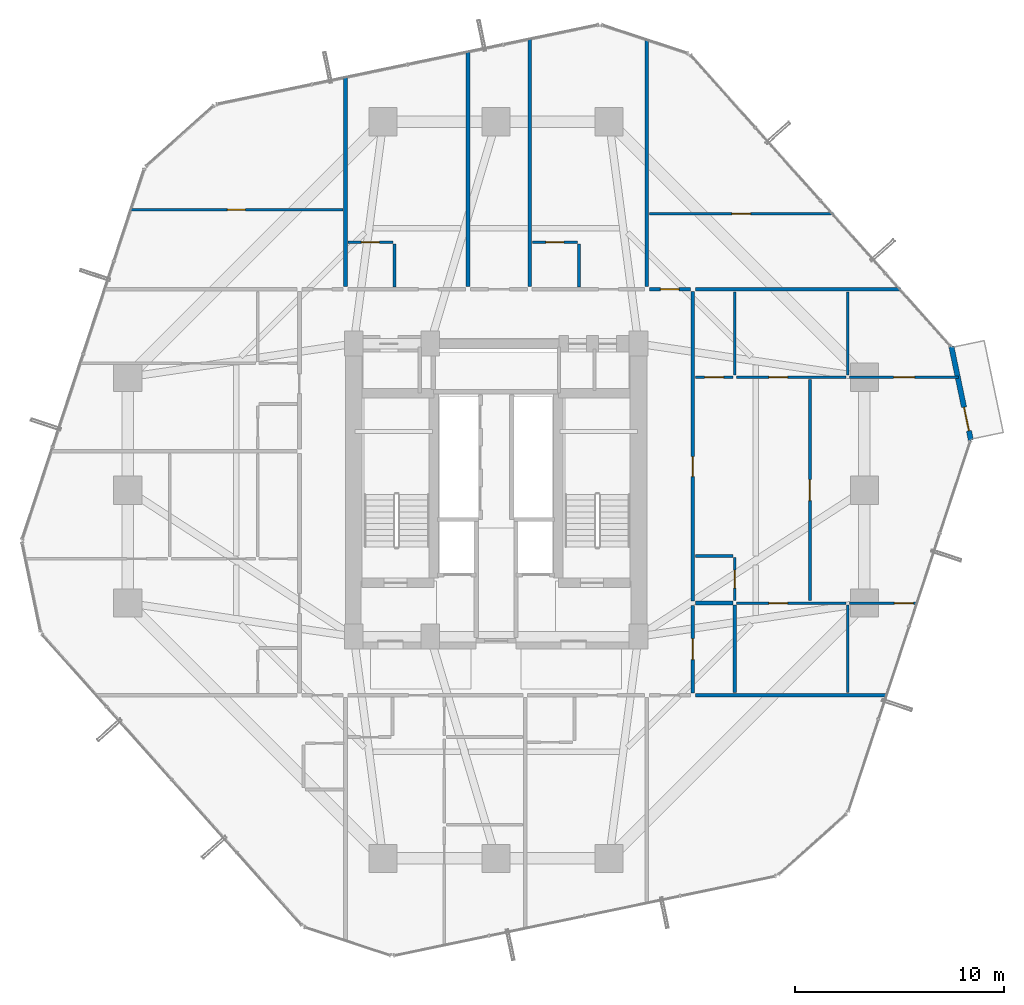
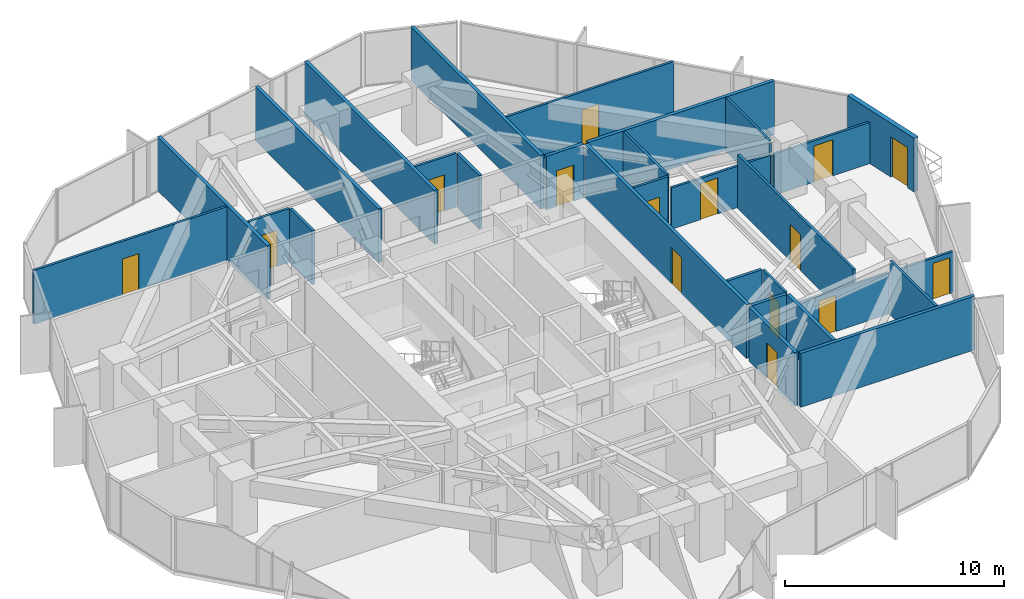
# One storey, part 35 of 38: 29 walls, 15 doors, 15 openings.
"""IFC4 building model written with IfcOpenShell, lengths in metres."""

from ifc_helpers import new_model, si_unit, direction, frame, frame_2d, origin, place, context, subcontext, project, spatial, rectangle, extrude, source, transform, mapped, material, layer, layer_set, type_object, element, fill, save


model = new_model("IFC4")

# Units and contexts
model_context = context("Model", 3, precision=1e-05, world=origin(), true_north=direction((0.0, 1.0)))
body_context = subcontext(model_context, "Body", "Model", "MODEL_VIEW")
ifc_project = project(units=[si_unit("LENGTHUNIT", "METRE"), si_unit("AREAUNIT", "SQUARE_METRE"), si_unit("VOLUMEUNIT", "CUBIC_METRE"), si_unit("PLANEANGLEUNIT", "RADIAN"), si_unit("MASSUNIT", "GRAM", prefix="KILO")], contexts=[model_context])

# Site, building, storey
site_placement = place(None, origin())
site = spatial("IfcSite", under=ifc_project, at=site_placement, CompositionType="ELEMENT")
building_placement = place(site_placement, origin())
building = spatial("IfcBuilding", under=site, at=building_placement, Name="Veraguas Prism Commons", CompositionType="ELEMENT")
storey_placement = place(building_placement, frame((0.0, 0.0, 64.10009765625)))
storey = spatial("IfcBuildingStorey", under=building, at=storey_placement, Name="L17", CompositionType="ELEMENT", Elevation=64.10009765625)

# Walls
ifc_material_1 = material(Name="Autoclaved aerated masonry block 10 MPa", Category="masonry")
ifc_layer_1 = layer(ifc_material_1, 0.179931640625, Name="Corridor and Inter-Tenancy Partition 180", Category="masonry")
ifc_layer_set_1 = layer_set([ifc_layer_1], Name="Autoclaved aerated masonry block 10 MPa")
wall_type_1 = type_object("IfcWallType", Name="Corridor and Inter-Tenancy Partition 180", PredefinedType="PARTITIONING", material=ifc_layer_set_1)
wall_1_placement = place(storey_placement, frame((16.800048828125, 33.719970703125, 0.0), z_axis=(0.0, 0.0, 1.0), x_axis=(0.0, 1.0, 0.0)))
element("IfcWall", 1, at=wall_1_placement, inside=storey, type_object=wall_type_1, Name="WL-L17-PT015", PredefinedType="PARTITIONING", context=body_context, shape_type="SweptSolid", body=[
    extrude(rectangle(XDim=10.0419921875, YDim=0.179931640625, at=frame_2d((5.02099609375, 0.0))), origin(), (0.0, 0.0, 1.0), 3.0),
])
wall_2_placement = place(storey_placement, frame((31.199951171875, 33.719970703125, 0.0), z_axis=(0.0, 0.0, 1.0), x_axis=(0.0, 1.0, 0.0)))
element("IfcWall", 2, at=wall_2_placement, inside=storey, type_object=wall_type_1, Name="WL-L17-PT016", PredefinedType="PARTITIONING", context=body_context, shape_type="SweptSolid", body=[
    extrude(rectangle(XDim=11.8408203125, YDim=0.179931640625, at=frame_2d((5.92041015625, 0.0))), origin(), (0.0, 0.0, 1.0), 3.0),
])
wall_3_placement = place(storey_placement, frame((22.657958984375, 33.719970703125, 0.0), z_axis=(0.0, 0.0, 1.0), x_axis=(0.0, 1.0, 0.0)))
element("IfcWall", 3, at=wall_3_placement, inside=storey, type_object=wall_type_1, Name="WL-L17-PT018", PredefinedType="PARTITIONING", context=body_context, shape_type="SweptSolid", body=[
    extrude(rectangle(XDim=11.261474609375, YDim=0.179931640625, at=frame_2d((5.630859375, 0.0))), origin(), (0.0, 0.0, 1.0), 3.0),
])
wall_4_placement = place(storey_placement, frame((25.60791015625, 33.719970703125, 0.0), z_axis=(0.0, 0.0, 1.0), x_axis=(0.0, 1.0, 0.0)))
element("IfcWall", 4, at=wall_4_placement, inside=storey, type_object=wall_type_1, Name="WL-L17-PT022", PredefinedType="PARTITIONING", context=body_context, shape_type="SweptSolid", body=[
    extrude(rectangle(XDim=11.875732421875, YDim=0.179931640625, at=frame_2d((5.93798828125, 0.0))), origin(), (0.0, 0.0, 1.0), 3.0),
])
wall_5_placement = place(storey_placement, frame((33.52001953125, 14.199951171875, 0.0), z_axis=(0.0, 0.0, 1.0), x_axis=(1.0, 0.0, 0.0)))
element("IfcWall", 5, at=wall_5_placement, inside=storey, type_object=wall_type_1, Name="WL-L17-PT043", PredefinedType="PARTITIONING", context=body_context, shape_type="SweptSolid", body=[
    extrude(rectangle(XDim=9.166015625, YDim=0.179931640625, at=frame_2d((4.5830078125, 0.0))), origin(), (0.0, 0.0, 1.0), 3.0),
])
wall_6_placement = place(storey_placement, frame((33.52001953125, 33.60009765625, 0.0), z_axis=(0.0, 0.0, 1.0), x_axis=(1.0, 0.0, 0.0)))
element("IfcWall", 6, at=wall_6_placement, inside=storey, type_object=wall_type_1, Name="WL-L17-PT044", PredefinedType="PARTITIONING", context=body_context, shape_type="SweptSolid", body=[
    extrude(rectangle(XDim=9.8125, YDim=0.179931640625, at=frame_2d((4.90625, 0.0))), origin(), (0.0, 0.0, 1.0), 3.0),
])

# Wall, opening, door
wall_7_placement = place(storey_placement, frame((33.39990234375, 14.31005859375, 0.0), z_axis=(0.0, 0.0, 1.0), x_axis=(0.0, 1.0, 0.0)))
wall_7 = element("IfcWall", 7, at=wall_7_placement, inside=storey, type_object=wall_type_1, Name="WL-L17-PT045", PredefinedType="PARTITIONING", context=body_context, shape_type="SweptSolid", body=[
    extrude(rectangle(XDim=4.179931640625, YDim=0.179931640625, at=frame_2d((2.08984375, 0.0))), origin(), (0.0, 0.0, 1.0), 3.0),
])
opening_1_placement = place(wall_7_placement, frame((1.590087890625, 0.0, 0.0)))
opening_1 = element("IfcOpeningElement", 8, at=opening_1_placement, cuts=wall_7, Name="Opening DR-13", PredefinedType="OPENING", context=body_context, shape_type="SweptSolid", body=[
    extrude(rectangle(XDim=1.0, YDim=2.010009765625, at=frame_2d((0.5, 1.0048828125))), frame((0.0, 0.099853515625, 0.0), z_axis=(0.0, -1.0, 0.0), x_axis=(1.0, 0.0, 0.0)), (0.0, 0.0, 1.0), 0.199951171875),
])
ifc_material_2 = material(Name="Steel fire-rated door assembly", Category="steel")
door_type_1 = type_object("IfcDoorType", Name="Core Accessible WC and Clinic Fire Door 1000x2010", OperationType="NOTDEFINED", PredefinedType="DOOR", material=ifc_material_2)
shared_shape_1 = source(origin(), body_context, "Body", "SweptSolid", [
    extrude(rectangle(XDim=1.0, YDim=2.010009765625, at=frame_2d((0.5, 1.0048828125))), frame((0.0, 0.02490234375, 0.0), z_axis=(0.0, -1.0, 0.0), x_axis=(1.0, 0.0, 0.0)), (0.0, 0.0, 1.0), 0.050048828125),
])
door_1_placement = place(opening_1_placement, origin())
door_1 = element("IfcDoor", 9, at=door_1_placement, inside=storey, type_object=door_type_1, Name="Residents Study Alcove 17G Door", OperationType="SINGLE_SWING_RIGHT", OverallHeight=2.010009765625, OverallWidth=1.0, PredefinedType="DOOR", context=body_context, shape_type="MappedRepresentation", body=[
    mapped(shared_shape_1, transform((0.0, 0.0, 0.0), scale=1.0)),
])
fill(opening_1, door_1)

wall_8_placement = place(storey_placement, frame((33.39990234375, 18.7099609375, 0.0), z_axis=(0.0, 0.0, 1.0), x_axis=(0.0, 1.0, 0.0)))
wall_8 = element("IfcWall", 10, at=wall_8_placement, inside=storey, type_object=wall_type_1, Name="WL-L17-PT046", PredefinedType="PARTITIONING", context=body_context, shape_type="SweptSolid", body=[
    extrude(rectangle(XDim=14.780029296875, YDim=0.179931640625, at=frame_2d((7.39013671875, 0.0))), origin(), (0.0, 0.0, 1.0), 3.0),
])
opening_2_placement = place(wall_8_placement, frame((5.93994140625, 0.0, 0.0)))
opening_2 = element("IfcOpeningElement", 11, at=opening_2_placement, cuts=wall_8, Name="Opening DR-01", PredefinedType="OPENING", context=body_context, shape_type="SweptSolid", body=[
    extrude(rectangle(XDim=0.949951171875, YDim=2.02001953125, at=frame_2d((0.47509765625, 1.010009765625))), frame((0.0, 0.099853515625, 0.0), z_axis=(0.0, -1.0, 0.0), x_axis=(1.0, 0.0, 0.0)), (0.0, 0.0, 1.0), 0.199951171875),
])
ifc_material_3 = material(Name="Anodised aluminium EN AW-6063 T6", Category="aluminium")
door_type_2 = type_object("IfcDoorType", Name="Apartment Entrance Fire Door 950x2020", OperationType="NOTDEFINED", PredefinedType="DOOR", material=ifc_material_3)
shared_shape_2 = source(origin(), body_context, "Body", "SweptSolid", [
    extrude(rectangle(XDim=0.949951171875, YDim=2.02001953125, at=frame_2d((0.47509765625, 1.010009765625))), frame((0.0, 0.02490234375, 0.0), z_axis=(0.0, -1.0, 0.0), x_axis=(1.0, 0.0, 0.0)), (0.0, 0.0, 1.0), 0.050048828125),
])
door_2_placement = place(opening_2_placement, origin())
door_2 = element("IfcDoor", 12, at=door_2_placement, inside=storey, type_object=door_type_2, Name="Flat 17G Entrance Door", OperationType="SINGLE_SWING_LEFT", OverallHeight=2.02001953125, OverallWidth=0.949951171875, PredefinedType="DOOR", context=body_context, shape_type="MappedRepresentation", body=[
    mapped(shared_shape_2, transform((0.0, 0.0, 0.0), scale=1.0)),
])
fill(opening_2, door_2)

# Walls
wall_9_placement = place(storey_placement, frame((35.39990234375, 14.320068359375, 0.0), z_axis=(0.0, 0.0, 1.0), x_axis=(0.0, 1.0, 0.0)))
element("IfcWall", 13, at=wall_9_placement, inside=storey, type_object=wall_type_1, Name="WL-L17-PT052", PredefinedType="PARTITIONING", context=body_context, shape_type="SweptSolid", body=[
    extrude(rectangle(XDim=4.179931640625, YDim=0.179931640625, at=frame_2d((2.08984375, 0.0))), origin(), (0.0, 0.0, 1.0), 3.0),
])
wall_10_placement = place(storey_placement, frame((33.52001953125, 18.60009765625, 0.0), z_axis=(0.0, 0.0, 1.0), x_axis=(1.0, 0.0, 0.0)))
element("IfcWall", 14, at=wall_10_placement, inside=storey, type_object=wall_type_1, Name="WL-L17-PT053", PredefinedType="PARTITIONING", context=body_context, shape_type="SweptSolid", body=[
    extrude(rectangle(XDim=1.800048828125, YDim=0.179931640625, at=frame_2d((0.89990234375, 0.0))), origin(), (0.0, 0.0, 1.0), 3.0),
])

# Wall, opening, door
wall_11_placement = place(storey_placement, frame((31.320068359375, 33.60009765625, 0.0), z_axis=(0.0, 0.0, 1.0), x_axis=(1.0, 0.0, 0.0)))
wall_11 = element("IfcWall", 15, at=wall_11_placement, inside=storey, type_object=wall_type_1, Name="WL-L17-PT067", PredefinedType="PARTITIONING", context=body_context, shape_type="SweptSolid", body=[
    extrude(rectangle(XDim=1.9599609375, YDim=0.179931640625, at=frame_2d((0.97998046875, 0.0))), origin(), (0.0, 0.0, 1.0), 3.0),
])
opening_3_placement = place(wall_11_placement, frame((0.530029296875, 0.0, 0.0)))
opening_3 = element("IfcOpeningElement", 16, at=opening_3_placement, cuts=wall_11, Name="Opening DR-14", PredefinedType="OPENING", context=body_context, shape_type="SweptSolid", body=[
    extrude(rectangle(XDim=0.89990234375, YDim=2.010009765625, at=frame_2d((0.449951171875, 1.0048828125))), frame((0.0, 0.099853515625, 0.0), z_axis=(0.0, -1.0, 0.0), x_axis=(1.0, 0.0, 0.0)), (0.0, 0.0, 1.0), 0.199951171875),
])
door_type_3 = type_object("IfcDoorType", Name="Core Service Room Fire Door 900x2010", OperationType="NOTDEFINED", PredefinedType="DOOR", material=ifc_material_2)
shared_shape_3 = source(origin(), body_context, "Body", "SweptSolid", [
    extrude(rectangle(XDim=0.89990234375, YDim=2.010009765625, at=frame_2d((0.449951171875, 1.0048828125))), frame((0.0, 0.02490234375, 0.0), z_axis=(0.0, -1.0, 0.0), x_axis=(1.0, 0.0, 0.0)), (0.0, 0.0, 1.0), 0.050048828125),
])
door_3_placement = place(opening_3_placement, origin())
door_3 = element("IfcDoor", 17, at=door_3_placement, inside=storey, type_object=door_type_3, Name="Corner Study NE Door", OperationType="SINGLE_SWING_RIGHT", OverallHeight=2.010009765625, OverallWidth=0.89990234375, PredefinedType="DOOR", context=body_context, shape_type="MappedRepresentation", body=[
    mapped(shared_shape_3, transform((0.0, 0.0, 0.0), scale=1.0)),
])
fill(opening_3, door_3)

ifc_material_4 = material(Name="Precast concrete C40/50", Category="concrete")
ifc_layer_2 = layer(ifc_material_4, 0.25, Name="External Loggia and Portal Wall 250", Category="concrete")
ifc_layer_set_2 = layer_set([ifc_layer_2], Name="Precast concrete C40/50")
wall_type_2 = type_object("IfcWallType", Name="External Loggia and Portal Wall 250", PredefinedType="SOLIDWALL", material=ifc_layer_set_2)
wall_12_placement = place(storey_placement, frame((46.691162109375, 26.384765625, 0.0), z_axis=(0.0, 0.0, 1.0), x_axis=(-0.203788213697, 0.979014996799, 0.0)))
wall_12 = element("IfcWall", 18, at=wall_12_placement, inside=storey, type_object=wall_type_2, Name="Corner Loggia Wall L17-C1", PredefinedType="SOLIDWALL", context=body_context, shape_type="SweptSolid", body=[
    extrude(rectangle(XDim=4.580078125, YDim=0.25, at=frame_2d((2.2900390625, 0.0))), origin(), (0.0, 0.0, 1.0), 3.0),
])
opening_4_placement = place(wall_12_placement, frame((0.4599609375, 0.0, 0.0)))
opening_4 = element("IfcOpeningElement", 19, at=opening_4_placement, cuts=wall_12, Name="Opening DR-10", PredefinedType="OPENING", context=body_context, shape_type="SweptSolid", body=[
    extrude(rectangle(XDim=1.14990234375, YDim=2.25, at=frame_2d((0.574951171875, 1.125))), frame((0.0, 0.135009765625, 0.0), z_axis=(0.0, -1.0, 0.0), x_axis=(1.0, 0.0, 0.0)), (0.0, 0.0, 1.0), 0.27001953125),
])
door_type_4 = type_object("IfcDoorType", Name="Glazed Loggia and Terrace Door 1150x2250", OperationType="NOTDEFINED", PredefinedType="DOOR", material=ifc_material_3)
shared_shape_4 = source(origin(), body_context, "Body", "SweptSolid", [
    extrude(rectangle(XDim=1.14990234375, YDim=2.25, at=frame_2d((0.574951171875, 1.125))), frame((0.0, 0.02490234375, 0.0), z_axis=(0.0, -1.0, 0.0), x_axis=(1.0, 0.0, 0.0)), (0.0, 0.0, 1.0), 0.050048828125),
])
door_4_placement = place(opening_4_placement, frame((1.14990234375, 0.0, 0.0), z_axis=(0.0, 0.0, 1.0), x_axis=(-1.0, 0.0, 0.0)))
door_4 = element("IfcDoor", 20, at=door_4_placement, inside=storey, type_object=door_type_4, Name="Recessed Loggia Door L17-C1", OperationType="SINGLE_SWING_LEFT", OverallHeight=2.25, OverallWidth=1.14990234375, PredefinedType="DOOR", context=body_context, shape_type="MappedRepresentation", body=[
    mapped(shared_shape_4, transform((0.0, 0.0, 0.0), scale=1.0)),
])
fill(opening_4, door_4)

ifc_material_5 = material(Name="Lightweight acoustic gypsum board")
ifc_layer_3 = layer(ifc_material_5, 0.125, Name="Internal Apartment Room Partition 125")
ifc_layer_set_3 = layer_set([ifc_layer_3], Name="Lightweight acoustic gypsum board")
wall_type_3 = type_object("IfcWallType", Name="Internal Apartment Room Partition 125", PredefinedType="PARTITIONING", material=ifc_layer_set_3)
wall_13_placement = place(storey_placement, frame((16.919921875, 35.85009765625, 0.0), z_axis=(0.0, 0.0, 1.0), x_axis=(1.0, 0.0, 0.0)))
wall_13 = element("IfcWall", 21, at=wall_13_placement, inside=storey, type_object=wall_type_3, Name="WL-L17-PT021", PredefinedType="PARTITIONING", context=body_context, shape_type="SweptSolid", body=[
    extrude(rectangle(XDim=2.150146484375, YDim=0.125, at=frame_2d((1.0751953125, 0.0))), origin(), (0.0, 0.0, 1.0), 3.0),
])
opening_5_placement = place(wall_13_placement, frame((0.64501953125, 0.0, 0.0)))
opening_5 = element("IfcOpeningElement", 22, at=opening_5_placement, cuts=wall_13, Name="Opening DR-03", PredefinedType="OPENING", context=body_context, shape_type="SweptSolid", body=[
    extrude(rectangle(XDim=0.860107421875, YDim=2.010009765625, at=frame_2d((0.43017578125, 1.0048828125))), frame((0.0, 0.072509765625, 0.0), z_axis=(0.0, -1.0, 0.0), x_axis=(1.0, 0.0, 0.0)), (0.0, 0.0, 1.0), 0.14501953125),
])
ifc_material_6 = material(Name="Timber moisture-resistant leaf", Category="wood")
door_type_5 = type_object("IfcDoorType", Name="Internal Bathroom Door 860x2010", OperationType="NOTDEFINED", PredefinedType="DOOR", material=ifc_material_6)
shared_shape_5 = source(origin(), body_context, "Body", "SweptSolid", [
    extrude(rectangle(XDim=0.860107421875, YDim=2.010009765625, at=frame_2d((0.43017578125, 1.0048828125))), frame((0.0, 0.02490234375, 0.0), z_axis=(0.0, -1.0, 0.0), x_axis=(1.0, 0.0, 0.0)), (0.0, 0.0, 1.0), 0.050048828125),
])
door_5_placement = place(opening_5_placement, origin())
door_5 = element("IfcDoor", 23, at=door_5_placement, inside=storey, type_object=door_type_5, Name="Studio 17C Bathroom Door", OperationType="SINGLE_SWING_RIGHT", OverallHeight=2.010009765625, OverallWidth=0.860107421875, PredefinedType="DOOR", context=body_context, shape_type="MappedRepresentation", body=[
    mapped(shared_shape_5, transform((0.0, 0.0, 0.0), scale=1.0)),
])
fill(opening_5, door_5)

wall_14_placement = place(storey_placement, frame((25.72802734375, 35.85009765625, 0.0), z_axis=(0.0, 0.0, 1.0), x_axis=(1.0, 0.0, 0.0)))
wall_14 = element("IfcWall", 24, at=wall_14_placement, inside=storey, type_object=wall_type_3, Name="WL-L17-PT025", PredefinedType="PARTITIONING", context=body_context, shape_type="SweptSolid", body=[
    extrude(rectangle(XDim=2.14990234375, YDim=0.125, at=frame_2d((1.074951171875, 0.0))), origin(), (0.0, 0.0, 1.0), 3.0),
])
opening_6_placement = place(wall_14_placement, frame((0.64501953125, 0.0, 0.0)))
opening_6 = element("IfcOpeningElement", 25, at=opening_6_placement, cuts=wall_14, Name="Opening DR-03", PredefinedType="OPENING", context=body_context, shape_type="SweptSolid", body=[
    extrude(rectangle(XDim=0.860107421875, YDim=2.010009765625, at=frame_2d((0.43017578125, 1.0048828125))), frame((0.0, 0.072509765625, 0.0), z_axis=(0.0, -1.0, 0.0), x_axis=(1.0, 0.0, 0.0)), (0.0, 0.0, 1.0), 0.14501953125),
])
door_6_placement = place(opening_6_placement, origin())
door_6 = element("IfcDoor", 26, at=door_6_placement, inside=storey, type_object=door_type_5, Name="Studio 17D Bathroom Door", OperationType="SINGLE_SWING_RIGHT", OverallHeight=2.010009765625, OverallWidth=0.860107421875, PredefinedType="DOOR", context=body_context, shape_type="MappedRepresentation", body=[
    mapped(shared_shape_5, transform((0.0, 0.0, 0.0), scale=1.0)),
])
fill(opening_6, door_6)

# Wall
wall_15_placement = place(storey_placement, frame((40.800048828125, 14.320068359375, 0.0), z_axis=(0.0, 0.0, 1.0), x_axis=(0.0, 1.0, 0.0)))
element("IfcWall", 27, at=wall_15_placement, inside=storey, type_object=wall_type_3, Name="WL-L17-PT047", PredefinedType="PARTITIONING", context=body_context, shape_type="SweptSolid", body=[
    extrude(rectangle(XDim=4.179931640625, YDim=0.125, at=frame_2d((2.08984375, 0.0))), origin(), (0.0, 0.0, 1.0), 3.0),
])

# Wall, opening, door
wall_16_placement = place(storey_placement, frame((40.89990234375, 18.60009765625, 0.0), z_axis=(0.0, 0.0, 1.0), x_axis=(1.0, 0.0, 0.0)))
wall_16 = element("IfcWall", 28, at=wall_16_placement, inside=storey, type_object=wall_type_3, Name="WL-L17-PT048", PredefinedType="PARTITIONING", context=body_context, shape_type="SweptSolid", body=[
    extrude(rectangle(XDim=3.236328125, YDim=0.125, at=frame_2d((1.6181640625, 0.0))), origin(), (0.0, 0.0, 1.0), 2.298828125),
])
opening_7_placement = place(wall_16_placement, frame((2.13623046875, 0.0, 0.0)))
opening_7 = element("IfcOpeningElement", 29, at=opening_7_placement, cuts=wall_16, Name="Opening DR-02", PredefinedType="OPENING", context=body_context, shape_type="SweptSolid", body=[
    extrude(rectangle(XDim=0.89990234375, YDim=2.010009765625, at=frame_2d((0.449951171875, 1.0048828125))), frame((0.0, 0.072509765625, 0.0), z_axis=(0.0, -1.0, 0.0), x_axis=(1.0, 0.0, 0.0)), (0.0, 0.0, 1.0), 0.14501953125),
])
ifc_material_7 = material(Name="Timber solid core hardwood", Category="wood")
door_type_6 = type_object("IfcDoorType", Name="Internal Habitable Room Door 900x2010", OperationType="NOTDEFINED", PredefinedType="DOOR", material=ifc_material_7)
door_7_placement = place(opening_7_placement, origin())
door_7 = element("IfcDoor", 30, at=door_7_placement, inside=storey, type_object=door_type_6, Name="Flat 17G Bedroom 3 Door", OperationType="SINGLE_SWING_RIGHT", OverallHeight=2.010009765625, OverallWidth=0.89990234375, PredefinedType="DOOR", context=body_context, shape_type="MappedRepresentation", body=[
    mapped(shared_shape_3, transform((0.0, 0.0, 0.0), scale=1.0)),
])
fill(opening_7, door_7)

# Wall
wall_17_placement = place(storey_placement, frame((40.800048828125, 29.5, 0.0), z_axis=(0.0, 0.0, 1.0), x_axis=(0.0, 1.0, 0.0)))
element("IfcWall", 31, at=wall_17_placement, inside=storey, type_object=wall_type_3, Name="WL-L17-PT049", PredefinedType="PARTITIONING", context=body_context, shape_type="SweptSolid", body=[
    extrude(rectangle(XDim=3.97998046875, YDim=0.125, at=frame_2d((1.989990234375, 0.0))), origin(), (0.0, 0.0, 1.0), 3.0),
])

# Wall, opening, door
wall_18_placement = place(storey_placement, frame((40.89990234375, 29.39990234375, 0.0), z_axis=(0.0, 0.0, 1.0), x_axis=(1.0, 0.0, 0.0)))
wall_18 = element("IfcWall", 32, at=wall_18_placement, inside=storey, type_object=wall_type_3, Name="WL-L17-PT050", PredefinedType="PARTITIONING", context=body_context, shape_type="SweptSolid", body=[
    extrude(rectangle(XDim=5.194091796875, YDim=0.125, at=frame_2d((2.59716796875, 0.0))), origin(), (0.0, 0.0, 1.0), 2.298828125),
])
opening_8_placement = place(wall_18_placement, frame((2.096923828125, 0.0, 0.0)))
opening_8 = element("IfcOpeningElement", 33, at=opening_8_placement, cuts=wall_18, Name="Opening DR-04", PredefinedType="OPENING", context=body_context, shape_type="SweptSolid", body=[
    extrude(rectangle(XDim=1.0, YDim=2.010009765625, at=frame_2d((0.5, 1.0048828125))), frame((0.0, 0.072509765625, 0.0), z_axis=(0.0, -1.0, 0.0), x_axis=(1.0, 0.0, 0.0)), (0.0, 0.0, 1.0), 0.14501953125),
])
door_type_7 = type_object("IfcDoorType", Name="Accessible WC and Clinic Exam Door 1000x2010", OperationType="NOTDEFINED", PredefinedType="DOOR", material=ifc_material_3)
door_8_placement = place(opening_8_placement, origin())
door_8 = element("IfcDoor", 34, at=door_8_placement, inside=storey, type_object=door_type_7, Name="Flat 17G Study Door", OperationType="SINGLE_SWING_LEFT", OverallHeight=2.010009765625, OverallWidth=1.0, PredefinedType="DOOR", context=body_context, shape_type="MappedRepresentation", body=[
    mapped(shared_shape_1, transform((0.0, 0.0, 0.0), scale=1.0)),
])
fill(opening_8, door_8)

wall_19_placement = place(storey_placement, frame((39.0, 18.719970703125, 0.0), z_axis=(0.0, 0.0, 1.0), x_axis=(0.0, 1.0, 0.0)))
wall_19 = element("IfcWall", 35, at=wall_19_placement, inside=storey, type_object=wall_type_3, Name="WL-L17-PT051", PredefinedType="PARTITIONING", context=body_context, shape_type="SweptSolid", body=[
    extrude(rectangle(XDim=10.56005859375, YDim=0.125, at=frame_2d((5.280029296875, 0.0))), origin(), (0.0, 0.0, 1.0), 3.0),
])
opening_9_placement = place(wall_19_placement, frame((4.780029296875, 0.0, 0.0)))
opening_9 = element("IfcOpeningElement", 36, at=opening_9_placement, cuts=wall_19, Name="Opening DR-04", PredefinedType="OPENING", context=body_context, shape_type="SweptSolid", body=[
    extrude(rectangle(XDim=1.0, YDim=2.010009765625, at=frame_2d((0.5, 1.0048828125))), frame((0.0, 0.072509765625, 0.0), z_axis=(0.0, -1.0, 0.0), x_axis=(1.0, 0.0, 0.0)), (0.0, 0.0, 1.0), 0.14501953125),
])
door_9_placement = place(opening_9_placement, origin())
door_9 = element("IfcDoor", 37, at=door_9_placement, inside=storey, type_object=door_type_7, Name="Flat 17G Sunroom Door", OperationType="SINGLE_SWING_RIGHT", OverallHeight=2.010009765625, OverallWidth=1.0, PredefinedType="DOOR", context=body_context, shape_type="MappedRepresentation", body=[
    mapped(shared_shape_1, transform((0.0, 0.0, 0.0), scale=1.0)),
])
fill(opening_9, door_9)

wall_20_placement = place(storey_placement, frame((35.5, 18.60009765625, 0.0), z_axis=(0.0, 0.0, 1.0), x_axis=(1.0, 0.0, 0.0)))
wall_20 = element("IfcWall", 38, at=wall_20_placement, inside=storey, type_object=wall_type_3, Name="WL-L17-PT054", PredefinedType="PARTITIONING", context=body_context, shape_type="SweptSolid", body=[
    extrude(rectangle(XDim=5.219970703125, YDim=0.125, at=frame_2d((2.60986328125, 0.0))), origin(), (0.0, 0.0, 1.0), 2.298828125),
])
opening_10_placement = place(wall_20_placement, frame((1.53271484375, 0.0, 0.0)))
opening_10 = element("IfcOpeningElement", 39, at=opening_10_placement, cuts=wall_20, Name="Opening DR-02", PredefinedType="OPENING", context=body_context, shape_type="SweptSolid", body=[
    extrude(rectangle(XDim=0.89990234375, YDim=2.010009765625, at=frame_2d((0.449951171875, 1.0048828125))), frame((0.0, 0.072509765625, 0.0), z_axis=(0.0, -1.0, 0.0), x_axis=(1.0, 0.0, 0.0)), (0.0, 0.0, 1.0), 0.14501953125),
])
door_10_placement = place(opening_10_placement, origin())
door_10 = element("IfcDoor", 40, at=door_10_placement, inside=storey, type_object=door_type_6, Name="Flat 17G Bedroom 2 Door", OperationType="SINGLE_SWING_LEFT", OverallHeight=2.010009765625, OverallWidth=0.89990234375, PredefinedType="DOOR", context=body_context, shape_type="MappedRepresentation", body=[
    mapped(shared_shape_3, transform((0.0, 0.0, 0.0), scale=1.0)),
])
fill(opening_10, door_10)

wall_21_placement = place(storey_placement, frame((35.39990234375, 18.719970703125, 0.0), z_axis=(0.0, 0.0, 1.0), x_axis=(0.0, 1.0, 0.0)))
wall_21 = element("IfcWall", 41, at=wall_21_placement, inside=storey, type_object=wall_type_3, Name="WL-L17-PT056", PredefinedType="PARTITIONING", context=body_context, shape_type="SweptSolid", body=[
    extrude(rectangle(XDim=2.050048828125, YDim=0.125, at=frame_2d((1.02490234375, 0.0))), origin(), (0.0, 0.0, 1.0), 3.0),
])
opening_11_placement = place(wall_21_placement, frame((0.594970703125, 0.0, 0.0)))
opening_11 = element("IfcOpeningElement", 42, at=opening_11_placement, cuts=wall_21, Name="Opening DR-03", PredefinedType="OPENING", context=body_context, shape_type="SweptSolid", body=[
    extrude(rectangle(XDim=0.860107421875, YDim=2.010009765625, at=frame_2d((0.43017578125, 1.0048828125))), frame((0.0, 0.072509765625, 0.0), z_axis=(0.0, -1.0, 0.0), x_axis=(1.0, 0.0, 0.0)), (0.0, 0.0, 1.0), 0.14501953125),
])
door_11_placement = place(opening_11_placement, origin())
door_11 = element("IfcDoor", 43, at=door_11_placement, inside=storey, type_object=door_type_5, Name="Flat 17G Bathroom Door", OperationType="SINGLE_SWING_RIGHT", OverallHeight=2.010009765625, OverallWidth=0.860107421875, PredefinedType="DOOR", context=body_context, shape_type="MappedRepresentation", body=[
    mapped(shared_shape_5, transform((0.0, 0.0, 0.0), scale=1.0)),
])
fill(opening_11, door_11)

wall_22_placement = place(storey_placement, frame((33.52001953125, 29.39990234375, 0.0), z_axis=(0.0, 0.0, 1.0), x_axis=(1.0, 0.0, 0.0)))
wall_22 = element("IfcWall", 44, at=wall_22_placement, inside=storey, type_object=wall_type_3, Name="WL-L17-PT057", PredefinedType="PARTITIONING", context=body_context, shape_type="SweptSolid", body=[
    extrude(rectangle(XDim=1.800048828125, YDim=0.125, at=frame_2d((0.89990234375, 0.0))), origin(), (0.0, 0.0, 1.0), 3.0),
])
opening_12_placement = place(wall_22_placement, frame((0.449951171875, 0.0, 0.0)))
opening_12 = element("IfcOpeningElement", 45, at=opening_12_placement, cuts=wall_22, Name="Opening DR-02", PredefinedType="OPENING", context=body_context, shape_type="SweptSolid", body=[
    extrude(rectangle(XDim=0.89990234375, YDim=2.010009765625, at=frame_2d((0.449951171875, 1.0048828125))), frame((0.0, 0.072509765625, 0.0), z_axis=(0.0, -1.0, 0.0), x_axis=(1.0, 0.0, 0.0)), (0.0, 0.0, 1.0), 0.14501953125),
])
door_12_placement = place(opening_12_placement, origin())
door_12 = element("IfcDoor", 46, at=door_12_placement, inside=storey, type_object=door_type_6, Name="Flat 17G Kitchen Door", OperationType="SINGLE_SWING_LEFT", OverallHeight=2.010009765625, OverallWidth=0.89990234375, PredefinedType="DOOR", context=body_context, shape_type="MappedRepresentation", body=[
    mapped(shared_shape_3, transform((0.0, 0.0, 0.0), scale=1.0)),
])
fill(opening_12, door_12)

# Wall
wall_23_placement = place(storey_placement, frame((35.39990234375, 29.5, 0.0), z_axis=(0.0, 0.0, 1.0), x_axis=(0.0, 1.0, 0.0)))
element("IfcWall", 47, at=wall_23_placement, inside=storey, type_object=wall_type_3, Name="WL-L17-PT058", PredefinedType="PARTITIONING", context=body_context, shape_type="SweptSolid", body=[
    extrude(rectangle(XDim=3.97998046875, YDim=0.125, at=frame_2d((1.989990234375, 0.0))), origin(), (0.0, 0.0, 1.0), 3.0),
])

# Wall, opening, door
wall_24_placement = place(storey_placement, frame((35.5, 29.39990234375, 0.0), z_axis=(0.0, 0.0, 1.0), x_axis=(1.0, 0.0, 0.0)))
wall_24 = element("IfcWall", 48, at=wall_24_placement, inside=storey, type_object=wall_type_3, Name="WL-L17-PT059", PredefinedType="PARTITIONING", context=body_context, shape_type="SweptSolid", body=[
    extrude(rectangle(XDim=5.219970703125, YDim=0.125, at=frame_2d((2.60986328125, 0.0))), origin(), (0.0, 0.0, 1.0), 2.298828125),
])
opening_13_placement = place(wall_24_placement, frame((1.53271484375, 0.0, 0.0)))
opening_13 = element("IfcOpeningElement", 49, at=opening_13_placement, cuts=wall_24, Name="Opening DR-02", PredefinedType="OPENING", context=body_context, shape_type="SweptSolid", body=[
    extrude(rectangle(XDim=0.89990234375, YDim=2.010009765625, at=frame_2d((0.449951171875, 1.0048828125))), frame((0.0, 0.072509765625, 0.0), z_axis=(0.0, -1.0, 0.0), x_axis=(1.0, 0.0, 0.0)), (0.0, 0.0, 1.0), 0.14501953125),
])
door_13_placement = place(opening_13_placement, origin())
door_13 = element("IfcDoor", 50, at=door_13_placement, inside=storey, type_object=door_type_6, Name="Flat 17G Bedroom 1 Door", OperationType="SINGLE_SWING_RIGHT", OverallHeight=2.010009765625, OverallWidth=0.89990234375, PredefinedType="DOOR", context=body_context, shape_type="MappedRepresentation", body=[
    mapped(shared_shape_3, transform((0.0, 0.0, 0.0), scale=1.0)),
])
fill(opening_13, door_13)

wall_25_placement = place(storey_placement, frame((6.500244140625, 37.39990234375, 0.0), z_axis=(0.0, 0.0, 1.0), x_axis=(1.0, 0.0, 0.0)))
wall_25 = element("IfcWall", 51, at=wall_25_placement, inside=storey, type_object=wall_type_3, Name="WL-L17-PT066", PredefinedType="PARTITIONING", context=body_context, shape_type="SweptSolid", body=[
    extrude(rectangle(XDim=10.1796875, YDim=0.125, at=frame_2d((5.08984375, 0.0))), origin(), (0.0, 0.0, 1.0), 3.0),
])
opening_14_placement = place(wall_25_placement, frame((4.659912109375, 0.0, 0.0)))
opening_14 = element("IfcOpeningElement", 52, at=opening_14_placement, cuts=wall_25, Name="Opening DR-03", PredefinedType="OPENING", context=body_context, shape_type="SweptSolid", body=[
    extrude(rectangle(XDim=0.860107421875, YDim=2.010009765625, at=frame_2d((0.43017578125, 1.0048828125))), frame((0.0, 0.072509765625, 0.0), z_axis=(0.0, -1.0, 0.0), x_axis=(1.0, 0.0, 0.0)), (0.0, 0.0, 1.0), 0.14501953125),
])
door_14_placement = place(opening_14_placement, origin())
door_14 = element("IfcDoor", 53, at=door_14_placement, inside=storey, type_object=door_type_5, Name="Corner Store NW Door", OperationType="SINGLE_SWING_LEFT", OverallHeight=2.010009765625, OverallWidth=0.860107421875, PredefinedType="DOOR", context=body_context, shape_type="MappedRepresentation", body=[
    mapped(shared_shape_5, transform((0.0, 0.0, 0.0), scale=1.0)),
])
fill(opening_14, door_14)

wall_26_placement = place(storey_placement, frame((31.320068359375, 37.199951171875, 0.0), z_axis=(0.0, 0.0, 1.0), x_axis=(1.0, 0.0, 0.0)))
wall_26 = element("IfcWall", 54, at=wall_26_placement, inside=storey, type_object=wall_type_3, Name="WL-L17-PT068", PredefinedType="PARTITIONING", context=body_context, shape_type="SweptSolid", body=[
    extrude(rectangle(XDim=8.798095703125, YDim=0.125, at=frame_2d((4.39892578125, 0.0))), origin(), (0.0, 0.0, 1.0), 3.0),
])
opening_15_placement = place(wall_26_placement, frame((3.94921875, 0.0, 0.0)))
opening_15 = element("IfcOpeningElement", 55, at=opening_15_placement, cuts=wall_26, Name="Opening DR-02", PredefinedType="OPENING", context=body_context, shape_type="SweptSolid", body=[
    extrude(rectangle(XDim=0.89990234375, YDim=2.010009765625, at=frame_2d((0.449951171875, 1.0048828125))), frame((0.0, 0.072509765625, 0.0), z_axis=(0.0, -1.0, 0.0), x_axis=(1.0, 0.0, 0.0)), (0.0, 0.0, 1.0), 0.14501953125),
])
door_15_placement = place(opening_15_placement, origin())
door_15 = element("IfcDoor", 56, at=door_15_placement, inside=storey, type_object=door_type_6, Name="Craft Room NE Door", OperationType="SINGLE_SWING_LEFT", OverallHeight=2.010009765625, OverallWidth=0.89990234375, PredefinedType="DOOR", context=body_context, shape_type="MappedRepresentation", body=[
    mapped(shared_shape_3, transform((0.0, 0.0, 0.0), scale=1.0)),
])
fill(opening_15, door_15)

# Walls
ifc_layer_4 = layer(ifc_material_5, 0.14990234375, Name="Wet Room and Clinic Acoustic Partition 150")
ifc_layer_set_4 = layer_set([ifc_layer_4], Name="Lightweight acoustic gypsum board")
wall_type_4 = type_object("IfcWallType", Name="Wet Room and Clinic Acoustic Partition 150", PredefinedType="PARTITIONING", material=ifc_layer_set_4)
for number, where, z_axis, x_axis, name in (
    (57, (19.14990234375, 33.719970703125, 0.0), (0.0, 0.0, 1.0), (0.0, 1.0, 0.0), "WL-L17-PT020"),
    (58, (27.9580078125, 33.719970703125, 0.0), (0.0, 0.0, 1.0), (0.0, 1.0, 0.0), "WL-L17-PT024"),
):
    element("IfcWall", number, at=place(storey_placement, frame(where, z_axis=z_axis, x_axis=x_axis)), inside=storey, type_object=wall_type_4, Name=name, PredefinedType="PARTITIONING", context=body_context, shape_type="SweptSolid", body=[
        extrude(rectangle(XDim=2.050048828125, YDim=0.14990234375, at=frame_2d((1.02490234375, 0.0))), origin(), (0.0, 0.0, 1.0), 3.0),
    ])
wall_27_placement = place(storey_placement, frame((33.52001953125, 20.85009765625, 0.0), z_axis=(0.0, 0.0, 1.0), x_axis=(1.0, 0.0, 0.0)))
element("IfcWall", 59, at=wall_27_placement, inside=storey, type_object=wall_type_4, Name="WL-L17-PT055", PredefinedType="PARTITIONING", context=body_context, shape_type="SweptSolid", body=[
    extrude(rectangle(XDim=1.800048828125, YDim=0.14990234375, at=frame_2d((0.89990234375, 0.0))), origin(), (0.0, 0.0, 1.0), 3.0),
])

save(model, "model.ifc")
